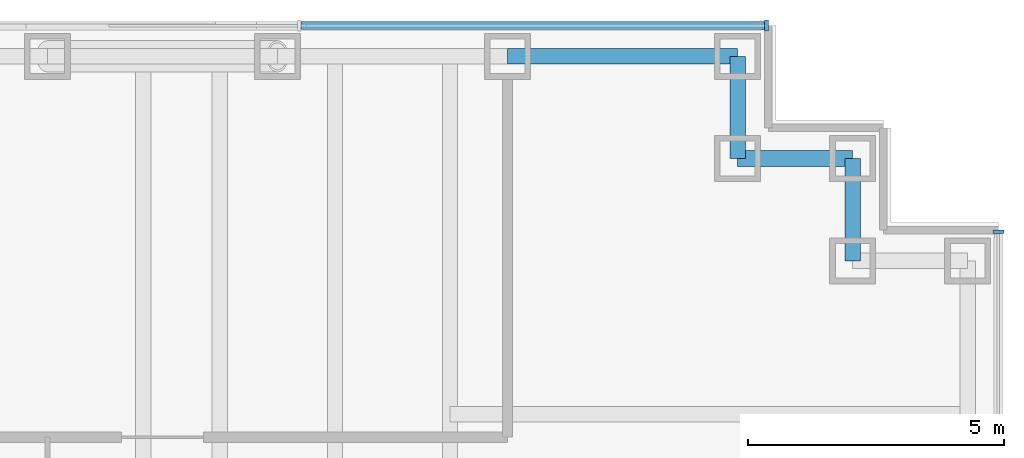
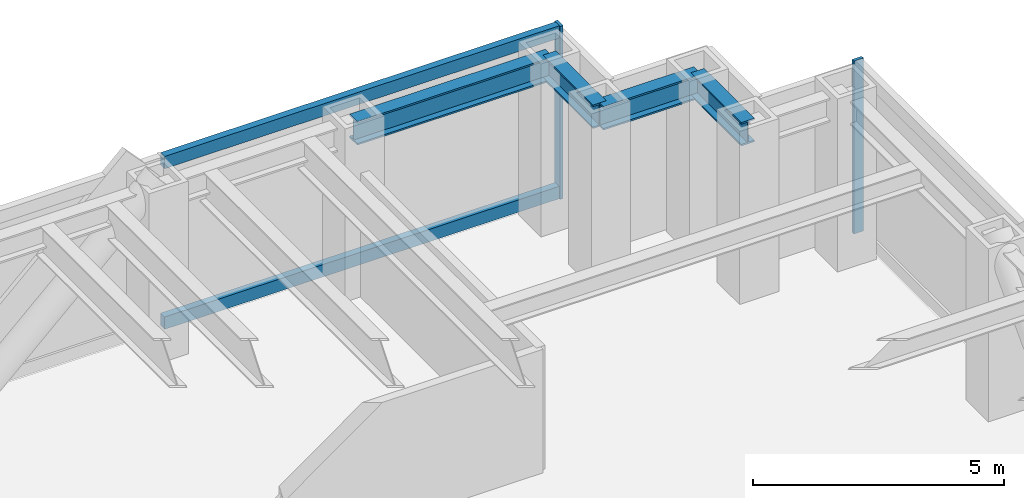
# One storey, part 9 of 15: 4 beams, 4 members, 2 elements without a shape of their own.
"""IFC4 building model written with IfcOpenShell, lengths in metres."""

from ifc_helpers import new_model, si_unit, direction, frame, origin, origin_2d, place, context, subcontext, project, spatial, rectangle, i_section, extrude, material, material_profile, profile_set, type_object, element, aggregate, save


model = new_model("IFC4")

# Units and contexts
model_context = context("Model", 3, precision=1e-05, world=origin(), true_north=direction((0.0, 1.0)))
body_context = subcontext(model_context, "Body", "Model", "MODEL_VIEW")
ifc_project = project(units=[si_unit("LENGTHUNIT", "METRE"), si_unit("AREAUNIT", "SQUARE_METRE"), si_unit("VOLUMEUNIT", "CUBIC_METRE"), si_unit("PLANEANGLEUNIT", "RADIAN"), si_unit("MASSUNIT", "GRAM", prefix="KILO")], contexts=[model_context])

# Site, building, storey
site_placement = place(None, origin())
site = spatial("IfcSite", under=ifc_project, at=site_placement, CompositionType="ELEMENT")
building_placement = place(site_placement, origin())
building = spatial("IfcBuilding", under=site, at=building_placement, Name="Rheinbord Bourse Tower", CompositionType="ELEMENT")
storey_placement = place(building_placement, frame((0.0, 0.0, 113.10009765625)))
storey = spatial("IfcBuildingStorey", under=building, at=storey_placement, Name="L24", CompositionType="ELEMENT", Elevation=113.10009765625)

# Curtain wall, member
ifc_material_1 = material(Name="Dark glass and black aluminium", Category="aluminium")
curtain_wall_type = type_object("IfcCurtainWallType", Name="CW2 DARK GLASS CURTAIN WALL", PredefinedType="USERDEFINED", material=ifc_material_1)
curtain_wall_1_placement = place(storey_placement, origin())
curtain_wall_1 = element("IfcCurtainWall", 1, at=curtain_wall_1_placement, inside=storey, type_object=curtain_wall_type, Name="Curtain wall CW2 E L24", ObjectType="UNITISED CURTAIN WALL", PredefinedType="USERDEFINED")
ifc_material_2 = material(Name="Black anodised aluminium", Category="aluminium")
ifc_material_profile_1 = material_profile(ifc_material_2, rectangle(XDim=0.219970703125, YDim=0.070068359375, at=origin_2d()), Name="CW2 MULLION 70x220")
ifc_profile_set_1 = profile_set([ifc_material_profile_1], Name="Black anodised aluminium")
member_type_1 = type_object("IfcMemberType", Name="CW2 BLACK MULLION", PredefinedType="MULLION", material=ifc_profile_set_1)
member_1_placement = place(storey_placement, frame((72.60009765625, 42.56494140625, 0.0), z_axis=(0.0, 0.0, 1.0), x_axis=(-1.0, 0.0, 0.0)))
member_1 = element("IfcMember", 2, at=member_1_placement, type_object=member_type_1, Name="CW2 mullion 6", PredefinedType="MULLION", context=body_context, shape_type="SweptSolid", body=[
    extrude(rectangle(XDim=0.219970703125, YDim=0.070068359375, at=origin_2d()), origin(), (0.0, 0.0, 1.0), 4.199951171875),
])
aggregate(curtain_wall_1, [member_1])

# Curtain wall, members
curtain_wall_2_placement = place(storey_placement, origin())
curtain_wall_2 = element("IfcCurtainWall", 3, at=curtain_wall_2_placement, inside=storey, type_object=curtain_wall_type, Name="Curtain wall CW2 N L24", ObjectType="UNITISED CURTAIN WALL", PredefinedType="USERDEFINED")
member_2_placement = place(storey_placement, frame((68.06494140625, 46.60009765625, 0.0), z_axis=(0.0, 0.0, 1.0), x_axis=(0.0, -1.0, 0.0)))
member_2 = element("IfcMember", 4, at=member_2_placement, type_object=member_type_1, Name="CW2 mullion 1", PredefinedType="MULLION", context=body_context, shape_type="SweptSolid", body=[
    extrude(rectangle(XDim=0.219970703125, YDim=0.070068359375, at=origin_2d()), origin(), (0.0, 0.0, 1.0), 4.199951171875),
])
ifc_material_3 = material(Name="Black anodised aluminium", Category="aluminium")
ifc_material_profile_2 = material_profile(ifc_material_3, rectangle(XDim=0.159912109375, YDim=0.300048828125, at=origin_2d()), Name="CW2 TRANSOM 300x160")
ifc_profile_set_2 = profile_set([ifc_material_profile_2], Name="Black anodised aluminium")
member_type_2 = type_object("IfcMemberType", Name="CW2 BLACK TRANSOM", PredefinedType="USERDEFINED", material=ifc_profile_set_2)
member_3_placement = place(storey_placement, frame((68.030029296875, 46.60009765625, 0.14990234375), z_axis=(-1.0, 0.0, 0.0), x_axis=(0.0, -1.0, 0.0)))
member_3 = element("IfcMember", 5, at=member_3_placement, type_object=member_type_2, Name="CW2 transom 1.1", ObjectType="TRANSOM", PredefinedType="USERDEFINED", context=body_context, shape_type="SweptSolid", body=[
    extrude(rectangle(XDim=0.159912109375, YDim=0.300048828125, at=origin_2d()), origin(), (0.0, 0.0, 1.0), 9.06640625),
])
member_4_placement = place(storey_placement, frame((68.030029296875, 46.60009765625, 4.0498046875), z_axis=(-1.0, 0.0, 0.0), x_axis=(0.0, -1.0, 0.0)))
member_4 = element("IfcMember", 6, at=member_4_placement, type_object=member_type_2, Name="CW2 transom 1.2", ObjectType="TRANSOM", PredefinedType="USERDEFINED", context=body_context, shape_type="SweptSolid", body=[
    extrude(rectangle(XDim=0.159912109375, YDim=0.300048828125, at=origin_2d()), origin(), (0.0, 0.0, 1.0), 9.06640625),
])
aggregate(curtain_wall_2, [member_2, member_3, member_4])

# Beams
ifc_material_4 = material(Name="Steel S460", Category="steel")
ifc_material_profile_3 = material_profile(ifc_material_4, i_section(OverallWidth=0.305908203125, OverallDepth=0.572021484375, WebThickness=0.02099609375, FlangeThickness=0.0400390625, at=origin_2d()), Name="HEM 550")
ifc_profile_set_3 = profile_set([ifc_material_profile_3], Name="Steel S460")
beam_type = type_object("IfcBeamType", Name="SPANDREL HEM 550", PredefinedType="SPANDREL", material=ifc_profile_set_3)
beam_1_placement = place(storey_placement, frame((69.75, 42.0, 3.75390625), z_axis=(0.0, 1.0, 0.0), x_axis=(-1.0, 0.0, 0.0)))
element("IfcBeam", 7, at=beam_1_placement, inside=storey, type_object=beam_type, Name="Spandrel NE-B-NE-C under L25", PredefinedType="SPANDREL", context=body_context, shape_type="SweptSolid", body=[
    extrude(i_section(OverallWidth=0.305908203125, OverallDepth=0.572021484375, WebThickness=0.02099609375, FlangeThickness=0.0400390625, at=origin_2d()), origin(), (0.0, 0.0, 1.0), 2.0),
])
beam_2_placement = place(storey_placement, frame((69.75, 44.0, 3.75390625), z_axis=(-1.0, 0.0, 0.0), x_axis=(0.0, -1.0, 0.0)))
element("IfcBeam", 8, at=beam_2_placement, inside=storey, type_object=beam_type, Name="Spandrel NE-C-NE-D under L25", PredefinedType="SPANDREL", context=body_context, shape_type="SweptSolid", body=[
    extrude(i_section(OverallWidth=0.305908203125, OverallDepth=0.572021484375, WebThickness=0.02099609375, FlangeThickness=0.0400390625, at=origin_2d()), origin(), (0.0, 0.0, 1.0), 2.25),
])
beam_3_placement = place(storey_placement, frame((67.5, 44.0, 3.75390625), z_axis=(0.0, 1.0, 0.0), x_axis=(-1.0, 0.0, 0.0)))
element("IfcBeam", 9, at=beam_3_placement, inside=storey, type_object=beam_type, Name="Spandrel NE-D-NE-E under L25", PredefinedType="SPANDREL", context=body_context, shape_type="SweptSolid", body=[
    extrude(i_section(OverallWidth=0.305908203125, OverallDepth=0.572021484375, WebThickness=0.02099609375, FlangeThickness=0.0400390625, at=origin_2d()), origin(), (0.0, 0.0, 1.0), 2.0),
])
beam_4_placement = place(storey_placement, frame((67.5, 46.0, 3.75390625), z_axis=(-1.0, 0.0, 0.0), x_axis=(0.0, -1.0, 0.0)))
element("IfcBeam", 10, at=beam_4_placement, inside=storey, type_object=beam_type, Name="Spandrel NE-E-N-63 under L25", PredefinedType="SPANDREL", context=body_context, shape_type="SweptSolid", body=[
    extrude(i_section(OverallWidth=0.305908203125, OverallDepth=0.572021484375, WebThickness=0.02099609375, FlangeThickness=0.0400390625, at=origin_2d()), origin(), (0.0, 0.0, 1.0), 4.5),
])

save(model, "model.ifc")
